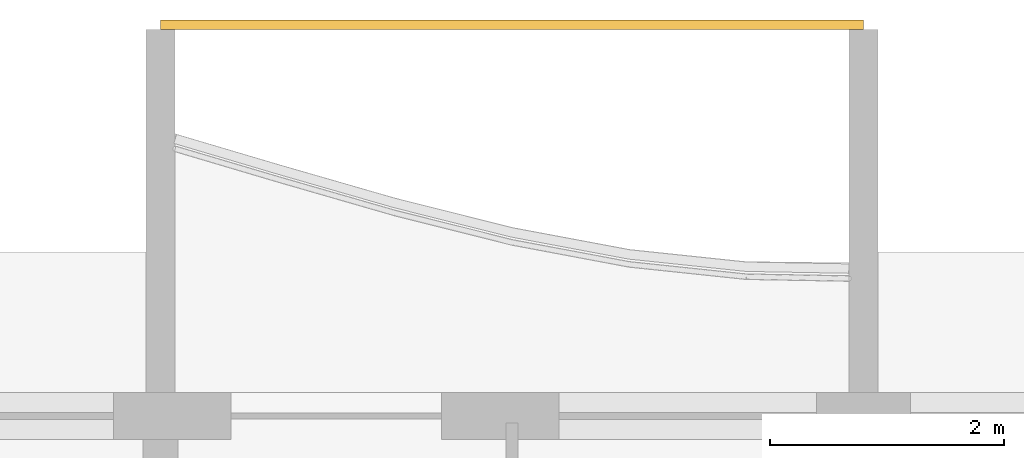
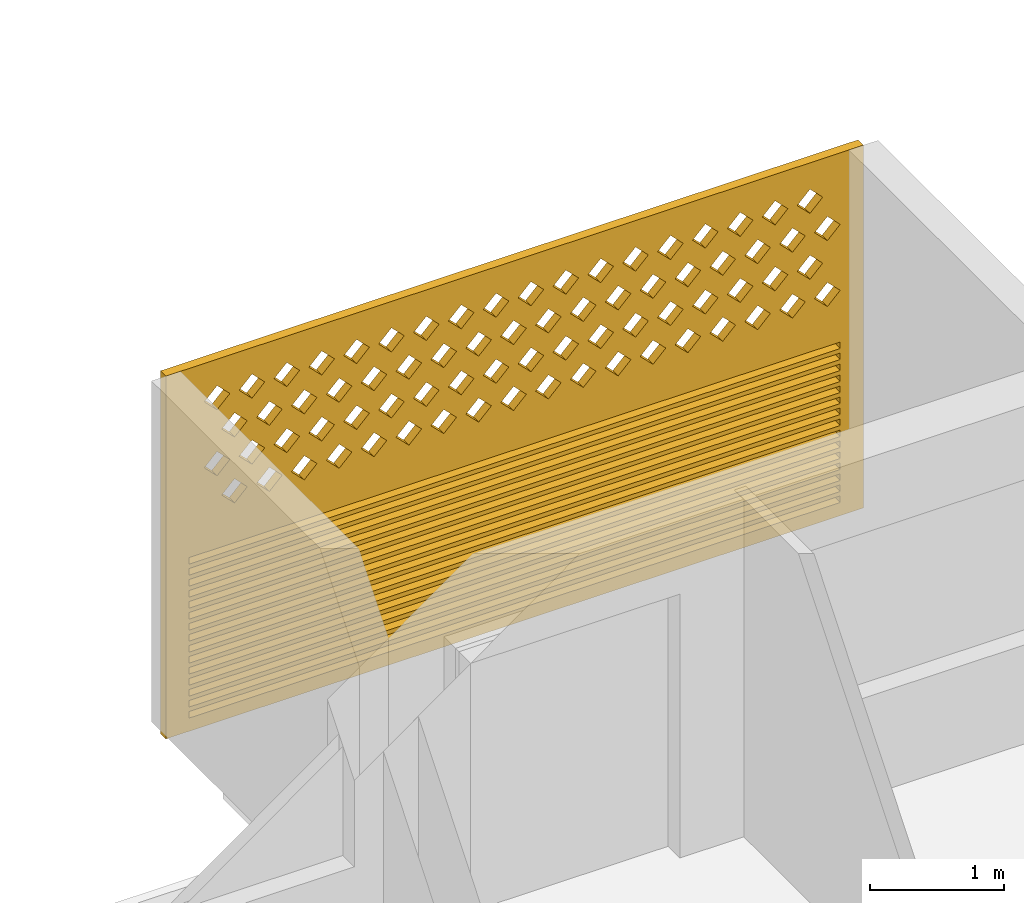
# One storey, part 26 of 32: 1 covering.
"""IFC4 building model written with IfcOpenShell, lengths in metres."""

from ifc_helpers import new_model, si_unit, direction, frame, origin, place, context, subcontext, project, spatial, polyline, outline, extrude, source, transform, mapped, material, material_profile, profile_set, type_object, element, save


model = new_model("IFC4")

# Units and contexts
model_context = context("Model", 3, precision=1e-05, world=origin(), true_north=direction((0.0, 1.0)))
body_context = subcontext(model_context, "Body", "Model", "MODEL_VIEW")
ifc_project = project(units=[si_unit("LENGTHUNIT", "METRE"), si_unit("AREAUNIT", "SQUARE_METRE"), si_unit("VOLUMEUNIT", "CUBIC_METRE"), si_unit("PLANEANGLEUNIT", "RADIAN"), si_unit("MASSUNIT", "GRAM", prefix="KILO")], contexts=[model_context])

# Site, building, storey
site_placement = place(None, origin())
site = spatial("IfcSite", under=ifc_project, at=site_placement, CompositionType="ELEMENT")
building_placement = place(site_placement, origin())
building = spatial("IfcBuilding", under=site, at=building_placement, Name="Poui Terraces", CompositionType="ELEMENT")
storey_placement = place(building_placement, frame((0.0, 0.0, 122.39990234375)))
storey = spatial("IfcBuildingStorey", under=building, at=storey_placement, Name="L33", CompositionType="ELEMENT", Elevation=122.39990234375)

# Covering
ifc_material = material(Name="Terracotta screen", Category="masonry")
ifc_material_profile = material_profile(ifc_material, outline(polyline([(-3.0, -1.64990234375), (3.0, -1.64990234375), (3.0, 1.64990234375), (-3.0, 1.64990234375), (-3.0, -1.64990234375)]), holes=[polyline([(-2.800048828125, 0.39990234375), (-2.68994140625, 0.2900390625), (-2.580078125, 0.39990234375), (-2.68994140625, 0.510009765625), (-2.800048828125, 0.39990234375)]), polyline([(-2.5, 0.39990234375), (-2.389892578125, 0.2900390625), (-2.280029296875, 0.39990234375), (-2.389892578125, 0.510009765625), (-2.5, 0.39990234375)]), polyline([(-2.199951171875, 0.39990234375), (-2.090087890625, 0.2900390625), (-1.97998046875, 0.39990234375), (-2.090087890625, 0.510009765625), (-2.199951171875, 0.39990234375)]), polyline([(-1.89990234375, 0.39990234375), (-1.7900390625, 0.2900390625), (-1.679931640625, 0.39990234375), (-1.7900390625, 0.510009765625), (-1.89990234375, 0.39990234375)]), polyline([(-1.60009765625, 0.39990234375), (-1.489990234375, 0.2900390625), (-1.3798828125, 0.39990234375), (-1.489990234375, 0.510009765625), (-1.60009765625, 0.39990234375)]), polyline([(-1.300048828125, 0.39990234375), (-1.18994140625, 0.2900390625), (-1.080078125, 0.39990234375), (-1.18994140625, 0.510009765625), (-1.300048828125, 0.39990234375)]), polyline([(-1.0, 0.39990234375), (-0.889892578125, 0.2900390625), (-0.780029296875, 0.39990234375), (-0.889892578125, 0.510009765625), (-1.0, 0.39990234375)]), polyline([(-0.699951171875, 0.39990234375), (-0.590087890625, 0.2900390625), (-0.47998046875, 0.39990234375), (-0.590087890625, 0.510009765625), (-0.699951171875, 0.39990234375)]), polyline([(-0.39990234375, 0.39990234375), (-0.2900390625, 0.2900390625), (-0.179931640625, 0.39990234375), (-0.2900390625, 0.510009765625), (-0.39990234375, 0.39990234375)]), polyline([(-0.10009765625, 0.39990234375), (0.010009765625, 0.2900390625), (0.1201171875, 0.39990234375), (0.010009765625, 0.510009765625), (-0.10009765625, 0.39990234375)]), polyline([(0.199951171875, 0.39990234375), (0.31005859375, 0.2900390625), (0.419921875, 0.39990234375), (0.31005859375, 0.510009765625), (0.199951171875, 0.39990234375)]), polyline([(0.5, 0.39990234375), (0.610107421875, 0.2900390625), (0.719970703125, 0.39990234375), (0.610107421875, 0.510009765625), (0.5, 0.39990234375)]), polyline([(0.800048828125, 0.39990234375), (0.909912109375, 0.2900390625), (1.02001953125, 0.39990234375), (0.909912109375, 0.510009765625), (0.800048828125, 0.39990234375)]), polyline([(1.10009765625, 0.39990234375), (1.2099609375, 0.2900390625), (1.320068359375, 0.39990234375), (1.2099609375, 0.510009765625), (1.10009765625, 0.39990234375)]), polyline([(1.39990234375, 0.39990234375), (1.510009765625, 0.2900390625), (1.6201171875, 0.39990234375), (1.510009765625, 0.510009765625), (1.39990234375, 0.39990234375)]), polyline([(1.699951171875, 0.39990234375), (1.81005859375, 0.2900390625), (1.919921875, 0.39990234375), (1.81005859375, 0.510009765625), (1.699951171875, 0.39990234375)]), polyline([(2.0, 0.39990234375), (2.110107421875, 0.2900390625), (2.219970703125, 0.39990234375), (2.110107421875, 0.510009765625), (2.0, 0.39990234375)]), polyline([(2.300048828125, 0.39990234375), (2.409912109375, 0.2900390625), (2.52001953125, 0.39990234375), (2.409912109375, 0.510009765625), (2.300048828125, 0.39990234375)]), polyline([(-2.64990234375, 0.699951171875), (-2.5400390625, 0.590087890625), (-2.429931640625, 0.699951171875), (-2.5400390625, 0.81005859375), (-2.64990234375, 0.699951171875)]), polyline([(-2.35009765625, 0.699951171875), (-2.239990234375, 0.590087890625), (-2.1298828125, 0.699951171875), (-2.239990234375, 0.81005859375), (-2.35009765625, 0.699951171875)]), polyline([(-2.050048828125, 0.699951171875), (-1.93994140625, 0.590087890625), (-1.830078125, 0.699951171875), (-1.93994140625, 0.81005859375), (-2.050048828125, 0.699951171875)]), polyline([(-1.75, 0.699951171875), (-1.639892578125, 0.590087890625), (-1.530029296875, 0.699951171875), (-1.639892578125, 0.81005859375), (-1.75, 0.699951171875)]), polyline([(-1.449951171875, 0.699951171875), (-1.340087890625, 0.590087890625), (-1.22998046875, 0.699951171875), (-1.340087890625, 0.81005859375), (-1.449951171875, 0.699951171875)]), polyline([(-1.14990234375, 0.699951171875), (-1.0400390625, 0.590087890625), (-0.929931640625, 0.699951171875), (-1.0400390625, 0.81005859375), (-1.14990234375, 0.699951171875)]), polyline([(-0.85009765625, 0.699951171875), (-0.739990234375, 0.590087890625), (-0.6298828125, 0.699951171875), (-0.739990234375, 0.81005859375), (-0.85009765625, 0.699951171875)]), polyline([(-0.550048828125, 0.699951171875), (-0.43994140625, 0.590087890625), (-0.330078125, 0.699951171875), (-0.43994140625, 0.81005859375), (-0.550048828125, 0.699951171875)]), polyline([(-0.25, 0.699951171875), (-0.139892578125, 0.590087890625), (-0.030029296875, 0.699951171875), (-0.139892578125, 0.81005859375), (-0.25, 0.699951171875)]), polyline([(0.050048828125, 0.699951171875), (0.159912109375, 0.590087890625), (0.27001953125, 0.699951171875), (0.159912109375, 0.81005859375), (0.050048828125, 0.699951171875)]), polyline([(0.35009765625, 0.699951171875), (0.4599609375, 0.590087890625), (0.570068359375, 0.699951171875), (0.4599609375, 0.81005859375), (0.35009765625, 0.699951171875)]), polyline([(0.64990234375, 0.699951171875), (0.760009765625, 0.590087890625), (0.8701171875, 0.699951171875), (0.760009765625, 0.81005859375), (0.64990234375, 0.699951171875)]), polyline([(0.949951171875, 0.699951171875), (1.06005859375, 0.590087890625), (1.169921875, 0.699951171875), (1.06005859375, 0.81005859375), (0.949951171875, 0.699951171875)]), polyline([(1.25, 0.699951171875), (1.360107421875, 0.590087890625), (1.469970703125, 0.699951171875), (1.360107421875, 0.81005859375), (1.25, 0.699951171875)]), polyline([(1.550048828125, 0.699951171875), (1.659912109375, 0.590087890625), (1.77001953125, 0.699951171875), (1.659912109375, 0.81005859375), (1.550048828125, 0.699951171875)]), polyline([(1.85009765625, 0.699951171875), (1.9599609375, 0.590087890625), (2.070068359375, 0.699951171875), (1.9599609375, 0.81005859375), (1.85009765625, 0.699951171875)]), polyline([(2.14990234375, 0.699951171875), (2.260009765625, 0.590087890625), (2.3701171875, 0.699951171875), (2.260009765625, 0.81005859375), (2.14990234375, 0.699951171875)]), polyline([(2.449951171875, 0.699951171875), (2.56005859375, 0.590087890625), (2.669921875, 0.699951171875), (2.56005859375, 0.81005859375), (2.449951171875, 0.699951171875)]), polyline([(-2.800048828125, 1.0), (-2.68994140625, 0.889892578125), (-2.580078125, 1.0), (-2.68994140625, 1.110107421875), (-2.800048828125, 1.0)]), polyline([(-2.5, 1.0), (-2.389892578125, 0.889892578125), (-2.280029296875, 1.0), (-2.389892578125, 1.110107421875), (-2.5, 1.0)]), polyline([(-2.199951171875, 1.0), (-2.090087890625, 0.889892578125), (-1.97998046875, 1.0), (-2.090087890625, 1.110107421875), (-2.199951171875, 1.0)]), polyline([(-1.89990234375, 1.0), (-1.7900390625, 0.889892578125), (-1.679931640625, 1.0), (-1.7900390625, 1.110107421875), (-1.89990234375, 1.0)]), polyline([(-1.60009765625, 1.0), (-1.489990234375, 0.889892578125), (-1.3798828125, 1.0), (-1.489990234375, 1.110107421875), (-1.60009765625, 1.0)]), polyline([(-1.300048828125, 1.0), (-1.18994140625, 0.889892578125), (-1.080078125, 1.0), (-1.18994140625, 1.110107421875), (-1.300048828125, 1.0)]), polyline([(-1.0, 1.0), (-0.889892578125, 0.889892578125), (-0.780029296875, 1.0), (-0.889892578125, 1.110107421875), (-1.0, 1.0)]), polyline([(-0.699951171875, 1.0), (-0.590087890625, 0.889892578125), (-0.47998046875, 1.0), (-0.590087890625, 1.110107421875), (-0.699951171875, 1.0)]), polyline([(-0.39990234375, 1.0), (-0.2900390625, 0.889892578125), (-0.179931640625, 1.0), (-0.2900390625, 1.110107421875), (-0.39990234375, 1.0)]), polyline([(-0.10009765625, 1.0), (0.010009765625, 0.889892578125), (0.1201171875, 1.0), (0.010009765625, 1.110107421875), (-0.10009765625, 1.0)]), polyline([(0.199951171875, 1.0), (0.31005859375, 0.889892578125), (0.419921875, 1.0), (0.31005859375, 1.110107421875), (0.199951171875, 1.0)]), polyline([(0.5, 1.0), (0.610107421875, 0.889892578125), (0.719970703125, 1.0), (0.610107421875, 1.110107421875), (0.5, 1.0)]), polyline([(0.800048828125, 1.0), (0.909912109375, 0.889892578125), (1.02001953125, 1.0), (0.909912109375, 1.110107421875), (0.800048828125, 1.0)]), polyline([(1.10009765625, 1.0), (1.2099609375, 0.889892578125), (1.320068359375, 1.0), (1.2099609375, 1.110107421875), (1.10009765625, 1.0)]), polyline([(1.39990234375, 1.0), (1.510009765625, 0.889892578125), (1.6201171875, 1.0), (1.510009765625, 1.110107421875), (1.39990234375, 1.0)]), polyline([(1.699951171875, 1.0), (1.81005859375, 0.889892578125), (1.919921875, 1.0), (1.81005859375, 1.110107421875), (1.699951171875, 1.0)]), polyline([(2.0, 1.0), (2.110107421875, 0.889892578125), (2.219970703125, 1.0), (2.110107421875, 1.110107421875), (2.0, 1.0)]), polyline([(2.300048828125, 1.0), (2.409912109375, 0.889892578125), (2.52001953125, 1.0), (2.409912109375, 1.110107421875), (2.300048828125, 1.0)]), polyline([(-2.64990234375, 1.300048828125), (-2.5400390625, 1.18994140625), (-2.429931640625, 1.300048828125), (-2.5400390625, 1.409912109375), (-2.64990234375, 1.300048828125)]), polyline([(-2.35009765625, 1.300048828125), (-2.239990234375, 1.18994140625), (-2.1298828125, 1.300048828125), (-2.239990234375, 1.409912109375), (-2.35009765625, 1.300048828125)]), polyline([(-2.050048828125, 1.300048828125), (-1.93994140625, 1.18994140625), (-1.830078125, 1.300048828125), (-1.93994140625, 1.409912109375), (-2.050048828125, 1.300048828125)]), polyline([(-1.75, 1.300048828125), (-1.639892578125, 1.18994140625), (-1.530029296875, 1.300048828125), (-1.639892578125, 1.409912109375), (-1.75, 1.300048828125)]), polyline([(-1.449951171875, 1.300048828125), (-1.340087890625, 1.18994140625), (-1.22998046875, 1.300048828125), (-1.340087890625, 1.409912109375), (-1.449951171875, 1.300048828125)]), polyline([(-1.14990234375, 1.300048828125), (-1.0400390625, 1.18994140625), (-0.929931640625, 1.300048828125), (-1.0400390625, 1.409912109375), (-1.14990234375, 1.300048828125)]), polyline([(-0.85009765625, 1.300048828125), (-0.739990234375, 1.18994140625), (-0.6298828125, 1.300048828125), (-0.739990234375, 1.409912109375), (-0.85009765625, 1.300048828125)]), polyline([(-0.550048828125, 1.300048828125), (-0.43994140625, 1.18994140625), (-0.330078125, 1.300048828125), (-0.43994140625, 1.409912109375), (-0.550048828125, 1.300048828125)]), polyline([(-0.25, 1.300048828125), (-0.139892578125, 1.18994140625), (-0.030029296875, 1.300048828125), (-0.139892578125, 1.409912109375), (-0.25, 1.300048828125)]), polyline([(0.050048828125, 1.300048828125), (0.159912109375, 1.18994140625), (0.27001953125, 1.300048828125), (0.159912109375, 1.409912109375), (0.050048828125, 1.300048828125)]), polyline([(0.35009765625, 1.300048828125), (0.4599609375, 1.18994140625), (0.570068359375, 1.300048828125), (0.4599609375, 1.409912109375), (0.35009765625, 1.300048828125)]), polyline([(0.64990234375, 1.300048828125), (0.760009765625, 1.18994140625), (0.8701171875, 1.300048828125), (0.760009765625, 1.409912109375), (0.64990234375, 1.300048828125)]), polyline([(0.949951171875, 1.300048828125), (1.06005859375, 1.18994140625), (1.169921875, 1.300048828125), (1.06005859375, 1.409912109375), (0.949951171875, 1.300048828125)]), polyline([(1.25, 1.300048828125), (1.360107421875, 1.18994140625), (1.469970703125, 1.300048828125), (1.360107421875, 1.409912109375), (1.25, 1.300048828125)]), polyline([(1.550048828125, 1.300048828125), (1.659912109375, 1.18994140625), (1.77001953125, 1.300048828125), (1.659912109375, 1.409912109375), (1.550048828125, 1.300048828125)]), polyline([(1.85009765625, 1.300048828125), (1.9599609375, 1.18994140625), (2.070068359375, 1.300048828125), (1.9599609375, 1.409912109375), (1.85009765625, 1.300048828125)]), polyline([(2.14990234375, 1.300048828125), (2.260009765625, 1.18994140625), (2.3701171875, 1.300048828125), (2.260009765625, 1.409912109375), (2.14990234375, 1.300048828125)]), polyline([(2.449951171875, 1.300048828125), (2.56005859375, 1.18994140625), (2.669921875, 1.300048828125), (2.56005859375, 1.409912109375), (2.449951171875, 1.300048828125)]), polyline([(-2.800048828125, -1.530029296875), (2.800048828125, -1.530029296875), (2.800048828125, -1.469970703125), (-2.800048828125, -1.469970703125), (-2.800048828125, -1.530029296875)]), polyline([(-2.800048828125, -1.429931640625), (2.800048828125, -1.429931640625), (2.800048828125, -1.3701171875), (-2.800048828125, -1.3701171875), (-2.800048828125, -1.429931640625)]), polyline([(-2.800048828125, -1.330078125), (2.800048828125, -1.330078125), (2.800048828125, -1.27001953125), (-2.800048828125, -1.27001953125), (-2.800048828125, -1.330078125)]), polyline([(-2.800048828125, -1.22998046875), (2.800048828125, -1.22998046875), (2.800048828125, -1.169921875), (-2.800048828125, -1.169921875), (-2.800048828125, -1.22998046875)]), polyline([(-2.800048828125, -1.1298828125), (2.800048828125, -1.1298828125), (2.800048828125, -1.070068359375), (-2.800048828125, -1.070068359375), (-2.800048828125, -1.1298828125)]), polyline([(-2.800048828125, -1.030029296875), (2.800048828125, -1.030029296875), (2.800048828125, -0.969970703125), (-2.800048828125, -0.969970703125), (-2.800048828125, -1.030029296875)]), polyline([(-2.800048828125, -0.929931640625), (2.800048828125, -0.929931640625), (2.800048828125, -0.8701171875), (-2.800048828125, -0.8701171875), (-2.800048828125, -0.929931640625)]), polyline([(-2.800048828125, -0.830078125), (2.800048828125, -0.830078125), (2.800048828125, -0.77001953125), (-2.800048828125, -0.77001953125), (-2.800048828125, -0.830078125)]), polyline([(-2.800048828125, -0.72998046875), (2.800048828125, -0.72998046875), (2.800048828125, -0.669921875), (-2.800048828125, -0.669921875), (-2.800048828125, -0.72998046875)]), polyline([(-2.800048828125, -0.6298828125), (2.800048828125, -0.6298828125), (2.800048828125, -0.570068359375), (-2.800048828125, -0.570068359375), (-2.800048828125, -0.6298828125)]), polyline([(-2.800048828125, -0.530029296875), (2.800048828125, -0.530029296875), (2.800048828125, -0.469970703125), (-2.800048828125, -0.469970703125), (-2.800048828125, -0.530029296875)]), polyline([(-2.800048828125, -0.429931640625), (2.800048828125, -0.429931640625), (2.800048828125, -0.3701171875), (-2.800048828125, -0.3701171875), (-2.800048828125, -0.429931640625)]), polyline([(-2.800048828125, -0.330078125), (2.800048828125, -0.330078125), (2.800048828125, -0.27001953125), (-2.800048828125, -0.27001953125), (-2.800048828125, -0.330078125)]), polyline([(-2.800048828125, -0.22998046875), (2.800048828125, -0.22998046875), (2.800048828125, -0.169921875), (-2.800048828125, -0.169921875), (-2.800048828125, -0.22998046875)]), polyline([(-2.800048828125, -0.1298828125), (2.800048828125, -0.1298828125), (2.800048828125, -0.070068359375), (-2.800048828125, -0.070068359375), (-2.800048828125, -0.1298828125)])]), Name="TERRACOTTA SCREEN AND JALOUSIE LOUVRE 6000X3300")
ifc_profile_set = profile_set([ifc_material_profile], Name="Terracotta screen")
covering_type = type_object("IfcCoveringType", Name="TERRACOTTA SCREEN AND JALOUSIE LOUVRE 6000X3300", PredefinedType="CLADDING", material=ifc_profile_set)
shared_shape = source(origin(), body_context, "Body", "SweptSolid", [
    extrude(outline(polyline([(-3.0, -1.64990234375), (3.0, -1.64990234375), (3.0, 1.64990234375), (-3.0, 1.64990234375), (-3.0, -1.64990234375)]), holes=[polyline([(-2.800048828125, 0.39990234375), (-2.68994140625, 0.2900390625), (-2.580078125, 0.39990234375), (-2.68994140625, 0.510009765625), (-2.800048828125, 0.39990234375)]), polyline([(-2.5, 0.39990234375), (-2.389892578125, 0.2900390625), (-2.280029296875, 0.39990234375), (-2.389892578125, 0.510009765625), (-2.5, 0.39990234375)]), polyline([(-2.199951171875, 0.39990234375), (-2.090087890625, 0.2900390625), (-1.97998046875, 0.39990234375), (-2.090087890625, 0.510009765625), (-2.199951171875, 0.39990234375)]), polyline([(-1.89990234375, 0.39990234375), (-1.7900390625, 0.2900390625), (-1.679931640625, 0.39990234375), (-1.7900390625, 0.510009765625), (-1.89990234375, 0.39990234375)]), polyline([(-1.60009765625, 0.39990234375), (-1.489990234375, 0.2900390625), (-1.3798828125, 0.39990234375), (-1.489990234375, 0.510009765625), (-1.60009765625, 0.39990234375)]), polyline([(-1.300048828125, 0.39990234375), (-1.18994140625, 0.2900390625), (-1.080078125, 0.39990234375), (-1.18994140625, 0.510009765625), (-1.300048828125, 0.39990234375)]), polyline([(-1.0, 0.39990234375), (-0.889892578125, 0.2900390625), (-0.780029296875, 0.39990234375), (-0.889892578125, 0.510009765625), (-1.0, 0.39990234375)]), polyline([(-0.699951171875, 0.39990234375), (-0.590087890625, 0.2900390625), (-0.47998046875, 0.39990234375), (-0.590087890625, 0.510009765625), (-0.699951171875, 0.39990234375)]), polyline([(-0.39990234375, 0.39990234375), (-0.2900390625, 0.2900390625), (-0.179931640625, 0.39990234375), (-0.2900390625, 0.510009765625), (-0.39990234375, 0.39990234375)]), polyline([(-0.10009765625, 0.39990234375), (0.010009765625, 0.2900390625), (0.1201171875, 0.39990234375), (0.010009765625, 0.510009765625), (-0.10009765625, 0.39990234375)]), polyline([(0.199951171875, 0.39990234375), (0.31005859375, 0.2900390625), (0.419921875, 0.39990234375), (0.31005859375, 0.510009765625), (0.199951171875, 0.39990234375)]), polyline([(0.5, 0.39990234375), (0.610107421875, 0.2900390625), (0.719970703125, 0.39990234375), (0.610107421875, 0.510009765625), (0.5, 0.39990234375)]), polyline([(0.800048828125, 0.39990234375), (0.909912109375, 0.2900390625), (1.02001953125, 0.39990234375), (0.909912109375, 0.510009765625), (0.800048828125, 0.39990234375)]), polyline([(1.10009765625, 0.39990234375), (1.2099609375, 0.2900390625), (1.320068359375, 0.39990234375), (1.2099609375, 0.510009765625), (1.10009765625, 0.39990234375)]), polyline([(1.39990234375, 0.39990234375), (1.510009765625, 0.2900390625), (1.6201171875, 0.39990234375), (1.510009765625, 0.510009765625), (1.39990234375, 0.39990234375)]), polyline([(1.699951171875, 0.39990234375), (1.81005859375, 0.2900390625), (1.919921875, 0.39990234375), (1.81005859375, 0.510009765625), (1.699951171875, 0.39990234375)]), polyline([(2.0, 0.39990234375), (2.110107421875, 0.2900390625), (2.219970703125, 0.39990234375), (2.110107421875, 0.510009765625), (2.0, 0.39990234375)]), polyline([(2.300048828125, 0.39990234375), (2.409912109375, 0.2900390625), (2.52001953125, 0.39990234375), (2.409912109375, 0.510009765625), (2.300048828125, 0.39990234375)]), polyline([(-2.64990234375, 0.699951171875), (-2.5400390625, 0.590087890625), (-2.429931640625, 0.699951171875), (-2.5400390625, 0.81005859375), (-2.64990234375, 0.699951171875)]), polyline([(-2.35009765625, 0.699951171875), (-2.239990234375, 0.590087890625), (-2.1298828125, 0.699951171875), (-2.239990234375, 0.81005859375), (-2.35009765625, 0.699951171875)]), polyline([(-2.050048828125, 0.699951171875), (-1.93994140625, 0.590087890625), (-1.830078125, 0.699951171875), (-1.93994140625, 0.81005859375), (-2.050048828125, 0.699951171875)]), polyline([(-1.75, 0.699951171875), (-1.639892578125, 0.590087890625), (-1.530029296875, 0.699951171875), (-1.639892578125, 0.81005859375), (-1.75, 0.699951171875)]), polyline([(-1.449951171875, 0.699951171875), (-1.340087890625, 0.590087890625), (-1.22998046875, 0.699951171875), (-1.340087890625, 0.81005859375), (-1.449951171875, 0.699951171875)]), polyline([(-1.14990234375, 0.699951171875), (-1.0400390625, 0.590087890625), (-0.929931640625, 0.699951171875), (-1.0400390625, 0.81005859375), (-1.14990234375, 0.699951171875)]), polyline([(-0.85009765625, 0.699951171875), (-0.739990234375, 0.590087890625), (-0.6298828125, 0.699951171875), (-0.739990234375, 0.81005859375), (-0.85009765625, 0.699951171875)]), polyline([(-0.550048828125, 0.699951171875), (-0.43994140625, 0.590087890625), (-0.330078125, 0.699951171875), (-0.43994140625, 0.81005859375), (-0.550048828125, 0.699951171875)]), polyline([(-0.25, 0.699951171875), (-0.139892578125, 0.590087890625), (-0.030029296875, 0.699951171875), (-0.139892578125, 0.81005859375), (-0.25, 0.699951171875)]), polyline([(0.050048828125, 0.699951171875), (0.159912109375, 0.590087890625), (0.27001953125, 0.699951171875), (0.159912109375, 0.81005859375), (0.050048828125, 0.699951171875)]), polyline([(0.35009765625, 0.699951171875), (0.4599609375, 0.590087890625), (0.570068359375, 0.699951171875), (0.4599609375, 0.81005859375), (0.35009765625, 0.699951171875)]), polyline([(0.64990234375, 0.699951171875), (0.760009765625, 0.590087890625), (0.8701171875, 0.699951171875), (0.760009765625, 0.81005859375), (0.64990234375, 0.699951171875)]), polyline([(0.949951171875, 0.699951171875), (1.06005859375, 0.590087890625), (1.169921875, 0.699951171875), (1.06005859375, 0.81005859375), (0.949951171875, 0.699951171875)]), polyline([(1.25, 0.699951171875), (1.360107421875, 0.590087890625), (1.469970703125, 0.699951171875), (1.360107421875, 0.81005859375), (1.25, 0.699951171875)]), polyline([(1.550048828125, 0.699951171875), (1.659912109375, 0.590087890625), (1.77001953125, 0.699951171875), (1.659912109375, 0.81005859375), (1.550048828125, 0.699951171875)]), polyline([(1.85009765625, 0.699951171875), (1.9599609375, 0.590087890625), (2.070068359375, 0.699951171875), (1.9599609375, 0.81005859375), (1.85009765625, 0.699951171875)]), polyline([(2.14990234375, 0.699951171875), (2.260009765625, 0.590087890625), (2.3701171875, 0.699951171875), (2.260009765625, 0.81005859375), (2.14990234375, 0.699951171875)]), polyline([(2.449951171875, 0.699951171875), (2.56005859375, 0.590087890625), (2.669921875, 0.699951171875), (2.56005859375, 0.81005859375), (2.449951171875, 0.699951171875)]), polyline([(-2.800048828125, 1.0), (-2.68994140625, 0.889892578125), (-2.580078125, 1.0), (-2.68994140625, 1.110107421875), (-2.800048828125, 1.0)]), polyline([(-2.5, 1.0), (-2.389892578125, 0.889892578125), (-2.280029296875, 1.0), (-2.389892578125, 1.110107421875), (-2.5, 1.0)]), polyline([(-2.199951171875, 1.0), (-2.090087890625, 0.889892578125), (-1.97998046875, 1.0), (-2.090087890625, 1.110107421875), (-2.199951171875, 1.0)]), polyline([(-1.89990234375, 1.0), (-1.7900390625, 0.889892578125), (-1.679931640625, 1.0), (-1.7900390625, 1.110107421875), (-1.89990234375, 1.0)]), polyline([(-1.60009765625, 1.0), (-1.489990234375, 0.889892578125), (-1.3798828125, 1.0), (-1.489990234375, 1.110107421875), (-1.60009765625, 1.0)]), polyline([(-1.300048828125, 1.0), (-1.18994140625, 0.889892578125), (-1.080078125, 1.0), (-1.18994140625, 1.110107421875), (-1.300048828125, 1.0)]), polyline([(-1.0, 1.0), (-0.889892578125, 0.889892578125), (-0.780029296875, 1.0), (-0.889892578125, 1.110107421875), (-1.0, 1.0)]), polyline([(-0.699951171875, 1.0), (-0.590087890625, 0.889892578125), (-0.47998046875, 1.0), (-0.590087890625, 1.110107421875), (-0.699951171875, 1.0)]), polyline([(-0.39990234375, 1.0), (-0.2900390625, 0.889892578125), (-0.179931640625, 1.0), (-0.2900390625, 1.110107421875), (-0.39990234375, 1.0)]), polyline([(-0.10009765625, 1.0), (0.010009765625, 0.889892578125), (0.1201171875, 1.0), (0.010009765625, 1.110107421875), (-0.10009765625, 1.0)]), polyline([(0.199951171875, 1.0), (0.31005859375, 0.889892578125), (0.419921875, 1.0), (0.31005859375, 1.110107421875), (0.199951171875, 1.0)]), polyline([(0.5, 1.0), (0.610107421875, 0.889892578125), (0.719970703125, 1.0), (0.610107421875, 1.110107421875), (0.5, 1.0)]), polyline([(0.800048828125, 1.0), (0.909912109375, 0.889892578125), (1.02001953125, 1.0), (0.909912109375, 1.110107421875), (0.800048828125, 1.0)]), polyline([(1.10009765625, 1.0), (1.2099609375, 0.889892578125), (1.320068359375, 1.0), (1.2099609375, 1.110107421875), (1.10009765625, 1.0)]), polyline([(1.39990234375, 1.0), (1.510009765625, 0.889892578125), (1.6201171875, 1.0), (1.510009765625, 1.110107421875), (1.39990234375, 1.0)]), polyline([(1.699951171875, 1.0), (1.81005859375, 0.889892578125), (1.919921875, 1.0), (1.81005859375, 1.110107421875), (1.699951171875, 1.0)]), polyline([(2.0, 1.0), (2.110107421875, 0.889892578125), (2.219970703125, 1.0), (2.110107421875, 1.110107421875), (2.0, 1.0)]), polyline([(2.300048828125, 1.0), (2.409912109375, 0.889892578125), (2.52001953125, 1.0), (2.409912109375, 1.110107421875), (2.300048828125, 1.0)]), polyline([(-2.64990234375, 1.300048828125), (-2.5400390625, 1.18994140625), (-2.429931640625, 1.300048828125), (-2.5400390625, 1.409912109375), (-2.64990234375, 1.300048828125)]), polyline([(-2.35009765625, 1.300048828125), (-2.239990234375, 1.18994140625), (-2.1298828125, 1.300048828125), (-2.239990234375, 1.409912109375), (-2.35009765625, 1.300048828125)]), polyline([(-2.050048828125, 1.300048828125), (-1.93994140625, 1.18994140625), (-1.830078125, 1.300048828125), (-1.93994140625, 1.409912109375), (-2.050048828125, 1.300048828125)]), polyline([(-1.75, 1.300048828125), (-1.639892578125, 1.18994140625), (-1.530029296875, 1.300048828125), (-1.639892578125, 1.409912109375), (-1.75, 1.300048828125)]), polyline([(-1.449951171875, 1.300048828125), (-1.340087890625, 1.18994140625), (-1.22998046875, 1.300048828125), (-1.340087890625, 1.409912109375), (-1.449951171875, 1.300048828125)]), polyline([(-1.14990234375, 1.300048828125), (-1.0400390625, 1.18994140625), (-0.929931640625, 1.300048828125), (-1.0400390625, 1.409912109375), (-1.14990234375, 1.300048828125)]), polyline([(-0.85009765625, 1.300048828125), (-0.739990234375, 1.18994140625), (-0.6298828125, 1.300048828125), (-0.739990234375, 1.409912109375), (-0.85009765625, 1.300048828125)]), polyline([(-0.550048828125, 1.300048828125), (-0.43994140625, 1.18994140625), (-0.330078125, 1.300048828125), (-0.43994140625, 1.409912109375), (-0.550048828125, 1.300048828125)]), polyline([(-0.25, 1.300048828125), (-0.139892578125, 1.18994140625), (-0.030029296875, 1.300048828125), (-0.139892578125, 1.409912109375), (-0.25, 1.300048828125)]), polyline([(0.050048828125, 1.300048828125), (0.159912109375, 1.18994140625), (0.27001953125, 1.300048828125), (0.159912109375, 1.409912109375), (0.050048828125, 1.300048828125)]), polyline([(0.35009765625, 1.300048828125), (0.4599609375, 1.18994140625), (0.570068359375, 1.300048828125), (0.4599609375, 1.409912109375), (0.35009765625, 1.300048828125)]), polyline([(0.64990234375, 1.300048828125), (0.760009765625, 1.18994140625), (0.8701171875, 1.300048828125), (0.760009765625, 1.409912109375), (0.64990234375, 1.300048828125)]), polyline([(0.949951171875, 1.300048828125), (1.06005859375, 1.18994140625), (1.169921875, 1.300048828125), (1.06005859375, 1.409912109375), (0.949951171875, 1.300048828125)]), polyline([(1.25, 1.300048828125), (1.360107421875, 1.18994140625), (1.469970703125, 1.300048828125), (1.360107421875, 1.409912109375), (1.25, 1.300048828125)]), polyline([(1.550048828125, 1.300048828125), (1.659912109375, 1.18994140625), (1.77001953125, 1.300048828125), (1.659912109375, 1.409912109375), (1.550048828125, 1.300048828125)]), polyline([(1.85009765625, 1.300048828125), (1.9599609375, 1.18994140625), (2.070068359375, 1.300048828125), (1.9599609375, 1.409912109375), (1.85009765625, 1.300048828125)]), polyline([(2.14990234375, 1.300048828125), (2.260009765625, 1.18994140625), (2.3701171875, 1.300048828125), (2.260009765625, 1.409912109375), (2.14990234375, 1.300048828125)]), polyline([(2.449951171875, 1.300048828125), (2.56005859375, 1.18994140625), (2.669921875, 1.300048828125), (2.56005859375, 1.409912109375), (2.449951171875, 1.300048828125)]), polyline([(-2.800048828125, -1.530029296875), (2.800048828125, -1.530029296875), (2.800048828125, -1.469970703125), (-2.800048828125, -1.469970703125), (-2.800048828125, -1.530029296875)]), polyline([(-2.800048828125, -1.429931640625), (2.800048828125, -1.429931640625), (2.800048828125, -1.3701171875), (-2.800048828125, -1.3701171875), (-2.800048828125, -1.429931640625)]), polyline([(-2.800048828125, -1.330078125), (2.800048828125, -1.330078125), (2.800048828125, -1.27001953125), (-2.800048828125, -1.27001953125), (-2.800048828125, -1.330078125)]), polyline([(-2.800048828125, -1.22998046875), (2.800048828125, -1.22998046875), (2.800048828125, -1.169921875), (-2.800048828125, -1.169921875), (-2.800048828125, -1.22998046875)]), polyline([(-2.800048828125, -1.1298828125), (2.800048828125, -1.1298828125), (2.800048828125, -1.070068359375), (-2.800048828125, -1.070068359375), (-2.800048828125, -1.1298828125)]), polyline([(-2.800048828125, -1.030029296875), (2.800048828125, -1.030029296875), (2.800048828125, -0.969970703125), (-2.800048828125, -0.969970703125), (-2.800048828125, -1.030029296875)]), polyline([(-2.800048828125, -0.929931640625), (2.800048828125, -0.929931640625), (2.800048828125, -0.8701171875), (-2.800048828125, -0.8701171875), (-2.800048828125, -0.929931640625)]), polyline([(-2.800048828125, -0.830078125), (2.800048828125, -0.830078125), (2.800048828125, -0.77001953125), (-2.800048828125, -0.77001953125), (-2.800048828125, -0.830078125)]), polyline([(-2.800048828125, -0.72998046875), (2.800048828125, -0.72998046875), (2.800048828125, -0.669921875), (-2.800048828125, -0.669921875), (-2.800048828125, -0.72998046875)]), polyline([(-2.800048828125, -0.6298828125), (2.800048828125, -0.6298828125), (2.800048828125, -0.570068359375), (-2.800048828125, -0.570068359375), (-2.800048828125, -0.6298828125)]), polyline([(-2.800048828125, -0.530029296875), (2.800048828125, -0.530029296875), (2.800048828125, -0.469970703125), (-2.800048828125, -0.469970703125), (-2.800048828125, -0.530029296875)]), polyline([(-2.800048828125, -0.429931640625), (2.800048828125, -0.429931640625), (2.800048828125, -0.3701171875), (-2.800048828125, -0.3701171875), (-2.800048828125, -0.429931640625)]), polyline([(-2.800048828125, -0.330078125), (2.800048828125, -0.330078125), (2.800048828125, -0.27001953125), (-2.800048828125, -0.27001953125), (-2.800048828125, -0.330078125)]), polyline([(-2.800048828125, -0.22998046875), (2.800048828125, -0.22998046875), (2.800048828125, -0.169921875), (-2.800048828125, -0.169921875), (-2.800048828125, -0.22998046875)]), polyline([(-2.800048828125, -0.1298828125), (2.800048828125, -0.1298828125), (2.800048828125, -0.070068359375), (-2.800048828125, -0.070068359375), (-2.800048828125, -0.1298828125)])]), origin(), (0.0, 0.0, 1.0), 0.080078125),
])
covering_placement = place(storey_placement, frame((51.0, 45.699951171875, 1.4501953125), z_axis=(0.0, 1.0, 0.0), x_axis=(-1.0, 0.0, 0.0)))
element("IfcCovering", 1, at=covering_placement, inside=storey, type_object=covering_type, Name="SOLAR SCREEN AND JALOUSIE LOUVRE", PredefinedType="CLADDING", context=body_context, shape_type="MappedRepresentation", body=[
    mapped(shared_shape, transform((0.0, 0.0, 0.0))),
])

save(model, "model.ifc")
